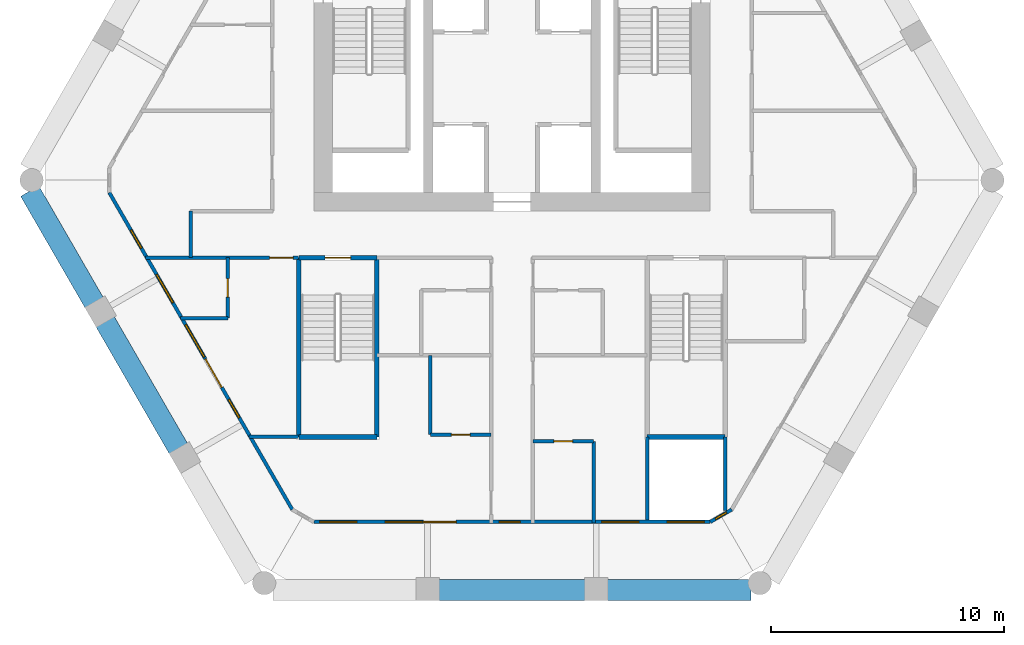
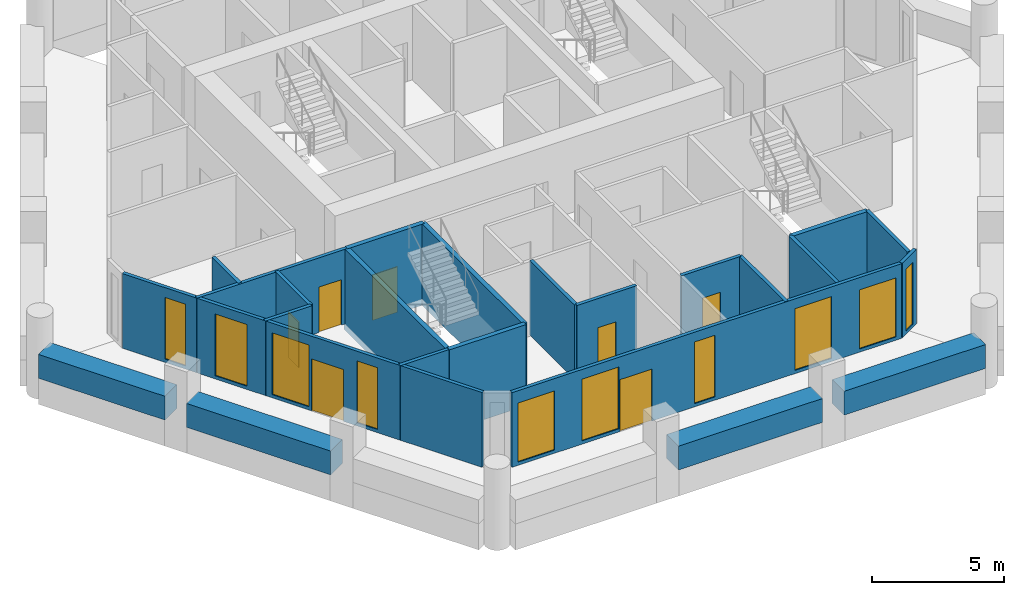
# One storey, part 2 of 7: 23 walls, 10 windows, 7 doors, 17 openings.
"""IFC4 building model written with IfcOpenShell, lengths in metres."""

from ifc_helpers import new_model, si_unit, direction, frame, frame_2d, origin, place, context, subcontext, project, spatial, rectangle, extrude, material, layer, layer_set, type_object, element, fill, save


model = new_model("IFC4")

# Units and contexts
model_context = context("Model", 3, precision=1e-05, world=origin(), true_north=direction((0.0, 1.0)))
body_context = subcontext(model_context, "Body", "Model", "MODEL_VIEW")
ifc_project = project(units=[si_unit("LENGTHUNIT", "METRE"), si_unit("AREAUNIT", "SQUARE_METRE"), si_unit("VOLUMEUNIT", "CUBIC_METRE"), si_unit("PLANEANGLEUNIT", "RADIAN"), si_unit("MASSUNIT", "GRAM", prefix="KILO")], contexts=[model_context])

# Site, building, storey
site_placement = place(None, origin())
site = spatial("IfcSite", under=ifc_project, at=site_placement, CompositionType="ELEMENT")
building_placement = place(site_placement, origin())
building = spatial("IfcBuilding", under=site, at=building_placement, Name="Ostrander Bayou Hotel Tower", CompositionType="ELEMENT")
storey_placement = place(building_placement, frame((0.0, 0.0, 168.25)))
storey = spatial("IfcBuildingStorey", under=building, at=storey_placement, Name="L41", CompositionType="ELEMENT", Elevation=168.25)

# Wall, openings, door, windows
ifc_material_1 = material(Name="Aluminium framed insulated wall", Category="aluminium")
ifc_layer_1 = layer(ifc_material_1, 0.14990234375)
ifc_layer_set_1 = layer_set([ifc_layer_1], Name="GW1 glass-line wall 150 mm")
wall_type_1 = type_object("IfcWallType", Name="GW1 glass-line wall 150 mm", PredefinedType="SOLIDWALL", material=ifc_layer_set_1)
wall_1_placement = place(storey_placement, frame((-17.28662109375, -0.908935546875, 0.0), z_axis=(0.0, 0.0, 1.0), x_axis=(0.500004460396, -0.866022828558, 0.0)))
wall_1 = element("IfcWall", 1, at=wall_1_placement, inside=storey, type_object=wall_type_1, Name="GW1 L41 SW 1", PredefinedType="SOLIDWALL", context=body_context, shape_type="SweptSolid", body=[
    extrude(rectangle(XDim=15.712158203125, YDim=0.14990234375, at=frame_2d((7.85595703125, 0.0))), origin(), (0.0, 0.0, 1.0), 3.449951171875),
])
opening_1_placement = place(wall_1_placement, frame((1.856201171875, 0.0, 0.14990234375)))
opening_1 = element("IfcOpeningElement", 2, at=opening_1_placement, cuts=wall_1, Name="Opening W17", PredefinedType="OPENING", context=body_context, shape_type="SweptSolid", body=[
    extrude(rectangle(XDim=0.89990234375, YDim=2.85009765625, at=frame_2d((0.449951171875, 1.425048828125))), frame((0.0, 0.074951171875, 0.0), z_axis=(0.0, -1.0, 0.0), x_axis=(1.0, 0.0, 0.0)), (0.0, 0.0, 1.0), 0.14990234375),
])
opening_2_placement = place(wall_1_placement, frame((4.05615234375, 0.0, 0.14990234375)))
opening_2 = element("IfcOpeningElement", 3, at=opening_2_placement, cuts=wall_1, Name="Opening W13", PredefinedType="OPENING", context=body_context, shape_type="SweptSolid", body=[
    extrude(rectangle(XDim=1.39990234375, YDim=2.85009765625, at=frame_2d((0.699951171875, 1.425048828125))), frame((0.0, 0.074951171875, 0.0), z_axis=(0.0, -1.0, 0.0), x_axis=(1.0, 0.0, 0.0)), (0.0, 0.0, 1.0), 0.14990234375),
])
opening_3_placement = place(wall_1_placement, frame((6.549072265625, 0.0, 0.14990234375)))
opening_3 = element("IfcOpeningElement", 4, at=opening_3_placement, cuts=wall_1, Name="Opening W3", PredefinedType="OPENING", context=body_context, shape_type="SweptSolid", body=[
    extrude(rectangle(XDim=1.60009765625, YDim=2.85009765625, at=frame_2d((0.800048828125, 1.425048828125))), frame((0.0, 0.074951171875, 0.0), z_axis=(0.0, -1.0, 0.0), x_axis=(1.0, 0.0, 0.0)), (0.0, 0.0, 1.0), 0.14990234375),
])
opening_4_placement = place(wall_1_placement, frame((8.256103515625, 0.0, 0.0)))
opening_4 = element("IfcOpeningElement", 5, at=opening_4_placement, cuts=wall_1, Name="Opening T41-802", PredefinedType="OPENING", context=body_context, shape_type="SweptSolid", body=[
    extrude(rectangle(XDim=1.39990234375, YDim=2.39990234375, at=frame_2d((0.699951171875, 1.199951171875))), frame((0.0, 0.074951171875, 0.0), z_axis=(0.0, -1.0, 0.0), x_axis=(1.0, 0.0, 0.0)), (0.0, 0.0, 1.0), 0.14990234375),
])
opening_5_placement = place(wall_1_placement, frame((10.256103515625, 0.0, 0.14990234375)))
opening_5 = element("IfcOpeningElement", 6, at=opening_5_placement, cuts=wall_1, Name="Opening W17", PredefinedType="OPENING", context=body_context, shape_type="SweptSolid", body=[
    extrude(rectangle(XDim=0.89990234375, YDim=2.85009765625, at=frame_2d((0.449951171875, 1.425048828125))), frame((0.0, 0.074951171875, 0.0), z_axis=(0.0, -1.0, 0.0), x_axis=(1.0, 0.0, 0.0)), (0.0, 0.0, 1.0), 0.14990234375),
])
ifc_material_2 = material(Name="Aluminium and clear glass", Category="aluminium")
door_type_1 = type_object("IfcDoorType", Name="SD3 sliding glass door 1400 mm, zone 3", OperationType="SLIDING_TO_LEFT", PredefinedType="DOOR", material=ifc_material_2)
door_1_placement = place(opening_4_placement, origin())
door_1 = element("IfcDoor", 7, at=door_1_placement, inside=storey, type_object=door_type_1, Name="SD3 L41 SW 2", OperationType="SLIDING_TO_RIGHT", OverallHeight=2.39990234375, OverallWidth=1.39990234375, PredefinedType="DOOR", context=body_context, shape_type="SweptSolid", body=[
    extrude(rectangle(XDim=1.39990234375, YDim=2.39990234375, at=frame_2d((0.699951171875, 1.199951171875))), frame((0.0, 0.02490234375, 0.0), z_axis=(0.0, -1.0, 0.0), x_axis=(1.0, 0.0, 0.0)), (0.0, 0.0, 1.0), 0.050048828125),
])
fill(opening_4, door_1)
ifc_material_3 = material(Name="Aluminium and clear glass", Category="aluminium")
window_type_1 = type_object("IfcWindowType", Name="W13 fixed window 1400 mm, bath bay, zone 3", PartitioningType="SINGLE_PANEL", PredefinedType="WINDOW", material=ifc_material_3)
window_1_placement = place(opening_2_placement, origin())
window_1 = element("IfcWindow", 8, at=window_1_placement, inside=storey, type_object=window_type_1, Name="W13 L41 SW 1", OverallHeight=2.85009765625, OverallWidth=1.39990234375, PartitioningType="SINGLE_PANEL", PredefinedType="WINDOW", context=body_context, shape_type="SweptSolid", body=[
    extrude(rectangle(XDim=1.39990234375, YDim=2.85009765625, at=frame_2d((0.699951171875, 1.425048828125))), frame((0.0, 0.030029296875, 0.0), z_axis=(0.0, -1.0, 0.0), x_axis=(1.0, 0.0, 0.0)), (0.0, 0.0, 1.0), 0.06005859375),
])
fill(opening_2, window_1)
ifc_material_4 = material(Name="Aluminium and clear glass", Category="aluminium")
window_type_2 = type_object("IfcWindowType", Name="W17 window 900 mm, zone 3", PartitioningType="SINGLE_PANEL", PredefinedType="WINDOW", material=ifc_material_4)
window_2_placement = place(opening_1_placement, origin())
window_2 = element("IfcWindow", 9, at=window_2_placement, inside=storey, type_object=window_type_2, Name="W17 L41 SW 1", OverallHeight=2.85009765625, OverallWidth=0.89990234375, PartitioningType="SINGLE_PANEL", PredefinedType="WINDOW", context=body_context, shape_type="SweptSolid", body=[
    extrude(rectangle(XDim=0.89990234375, YDim=2.85009765625, at=frame_2d((0.449951171875, 1.425048828125))), frame((0.0, 0.030029296875, 0.0), z_axis=(0.0, -1.0, 0.0), x_axis=(1.0, 0.0, 0.0)), (0.0, 0.0, 1.0), 0.06005859375),
])
fill(opening_1, window_2)
window_3_placement = place(opening_5_placement, origin())
window_3 = element("IfcWindow", 10, at=window_3_placement, inside=storey, type_object=window_type_2, Name="W17 L41 SW 3", OverallHeight=2.85009765625, OverallWidth=0.89990234375, PartitioningType="SINGLE_PANEL", PredefinedType="WINDOW", context=body_context, shape_type="SweptSolid", body=[
    extrude(rectangle(XDim=0.89990234375, YDim=2.85009765625, at=frame_2d((0.449951171875, 1.425048828125))), frame((0.0, 0.030029296875, 0.0), z_axis=(0.0, -1.0, 0.0), x_axis=(1.0, 0.0, 0.0)), (0.0, 0.0, 1.0), 0.06005859375),
])
fill(opening_5, window_3)
ifc_material_5 = material(Name="Aluminium and clear glass", Category="aluminium")
window_type_3 = type_object("IfcWindowType", Name="W3 fixed window 1600 mm, zone 3", PartitioningType="SINGLE_PANEL", PredefinedType="WINDOW", material=ifc_material_5)
window_4_placement = place(opening_3_placement, origin())
window_4 = element("IfcWindow", 11, at=window_4_placement, inside=storey, type_object=window_type_3, Name="W3 L41 SW 2", OverallHeight=2.85009765625, OverallWidth=1.60009765625, PartitioningType="SINGLE_PANEL", PredefinedType="WINDOW", context=body_context, shape_type="SweptSolid", body=[
    extrude(rectangle(XDim=1.60009765625, YDim=2.85009765625, at=frame_2d((0.800048828125, 1.425048828125))), frame((0.0, 0.030029296875, 0.0), z_axis=(0.0, -1.0, 0.0), x_axis=(1.0, 0.0, 0.0)), (0.0, 0.0, 1.0), 0.06005859375),
])
fill(opening_3, window_4)

wall_2_placement = place(storey_placement, frame((-8.508056640625, -15.048583984375, 0.0), z_axis=(0.0, 0.0, 1.0), x_axis=(1.0, 0.0, 0.0)))
wall_2 = element("IfcWall", 12, at=wall_2_placement, inside=storey, type_object=wall_type_1, Name="GW1 L41 S 1", PredefinedType="SOLIDWALL", context=body_context, shape_type="SweptSolid", body=[
    extrude(rectangle(XDim=17.01611328125, YDim=0.14990234375, at=frame_2d((8.508056640625, 0.0))), origin(), (0.0, 0.0, 1.0), 3.449951171875),
])
opening_6_placement = place(wall_2_placement, frame((3.05810546875, 0.0, 0.14990234375)))
opening_6 = element("IfcOpeningElement", 13, at=opening_6_placement, cuts=wall_2, Name="Opening W3", PredefinedType="OPENING", context=body_context, shape_type="SweptSolid", body=[
    extrude(rectangle(XDim=1.60009765625, YDim=2.85009765625, at=frame_2d((0.800048828125, 1.425048828125))), frame((0.0, 0.074951171875, 0.0), z_axis=(0.0, -1.0, 0.0), x_axis=(1.0, 0.0, 0.0)), (0.0, 0.0, 1.0), 0.14990234375),
])
opening_7_placement = place(wall_2_placement, frame((4.7080078125, 0.0, 0.0)))
opening_7 = element("IfcOpeningElement", 14, at=opening_7_placement, cuts=wall_2, Name="Opening T41-803", PredefinedType="OPENING", context=body_context, shape_type="SweptSolid", body=[
    extrude(rectangle(XDim=1.39990234375, YDim=2.39990234375, at=frame_2d((0.699951171875, 1.199951171875))), frame((0.0, 0.074951171875, 0.0), z_axis=(0.0, -1.0, 0.0), x_axis=(1.0, 0.0, 0.0)), (0.0, 0.0, 1.0), 0.14990234375),
])
opening_8_placement = place(wall_2_placement, frame((7.9580078125, 0.0, 0.14990234375)))
opening_8 = element("IfcOpeningElement", 15, at=opening_8_placement, cuts=wall_2, Name="Opening W17", PredefinedType="OPENING", context=body_context, shape_type="SweptSolid", body=[
    extrude(rectangle(XDim=0.89990234375, YDim=2.85009765625, at=frame_2d((0.449951171875, 1.425048828125))), frame((0.0, 0.074951171875, 0.0), z_axis=(0.0, -1.0, 0.0), x_axis=(1.0, 0.0, 0.0)), (0.0, 0.0, 1.0), 0.14990234375),
])
opening_9_placement = place(wall_2_placement, frame((12.358154296875, 0.0, 0.14990234375)))
opening_9 = element("IfcOpeningElement", 16, at=opening_9_placement, cuts=wall_2, Name="Opening W3", PredefinedType="OPENING", context=body_context, shape_type="SweptSolid", body=[
    extrude(rectangle(XDim=1.60009765625, YDim=2.85009765625, at=frame_2d((0.800048828125, 1.425048828125))), frame((0.0, 0.074951171875, 0.0), z_axis=(0.0, -1.0, 0.0), x_axis=(1.0, 0.0, 0.0)), (0.0, 0.0, 1.0), 0.14990234375),
])
opening_10_placement = place(wall_2_placement, frame((0.25390625, 0.0, 0.14990234375)))
opening_10 = element("IfcOpeningElement", 17, at=opening_10_placement, cuts=wall_2, Name="Opening W3", PredefinedType="OPENING", context=body_context, shape_type="SweptSolid", body=[
    extrude(rectangle(XDim=1.60009765625, YDim=2.72998046875, at=frame_2d((0.800048828125, 1.364990234375))), frame((0.0, 0.074951171875, 0.0), z_axis=(0.0, -1.0, 0.0), x_axis=(1.0, 0.0, 0.0)), (0.0, 0.0, 1.0), 0.14990234375),
])
opening_11_placement = place(wall_2_placement, frame((15.162109375, 0.0, 0.14990234375)))
opening_11 = element("IfcOpeningElement", 18, at=opening_11_placement, cuts=wall_2, Name="Opening W3", PredefinedType="OPENING", context=body_context, shape_type="SweptSolid", body=[
    extrude(rectangle(XDim=1.60009765625, YDim=2.72998046875, at=frame_2d((0.800048828125, 1.364990234375))), frame((0.0, 0.074951171875, 0.0), z_axis=(0.0, -1.0, 0.0), x_axis=(1.0, 0.0, 0.0)), (0.0, 0.0, 1.0), 0.14990234375),
])
door_2_placement = place(opening_7_placement, origin())
door_2 = element("IfcDoor", 19, at=door_2_placement, inside=storey, type_object=door_type_1, Name="SD3 L41 S 1", OperationType="SLIDING_TO_LEFT", OverallHeight=2.39990234375, OverallWidth=1.39990234375, PredefinedType="DOOR", context=body_context, shape_type="SweptSolid", body=[
    extrude(rectangle(XDim=1.39990234375, YDim=2.39990234375, at=frame_2d((0.699951171875, 1.199951171875))), frame((0.0, 0.02490234375, 0.0), z_axis=(0.0, -1.0, 0.0), x_axis=(1.0, 0.0, 0.0)), (0.0, 0.0, 1.0), 0.050048828125),
])
fill(opening_7, door_2)
window_5_placement = place(opening_8_placement, origin())
window_5 = element("IfcWindow", 20, at=window_5_placement, inside=storey, type_object=window_type_2, Name="W17 L41 S 2", OverallHeight=2.85009765625, OverallWidth=0.89990234375, PartitioningType="SINGLE_PANEL", PredefinedType="WINDOW", context=body_context, shape_type="SweptSolid", body=[
    extrude(rectangle(XDim=0.89990234375, YDim=2.85009765625, at=frame_2d((0.449951171875, 1.425048828125))), frame((0.0, 0.030029296875, 0.0), z_axis=(0.0, -1.0, 0.0), x_axis=(1.0, 0.0, 0.0)), (0.0, 0.0, 1.0), 0.06005859375),
])
fill(opening_8, window_5)
window_6_placement = place(opening_6_placement, origin())
window_6 = element("IfcWindow", 21, at=window_6_placement, inside=storey, type_object=window_type_3, Name="W3 L41 S 1", OverallHeight=2.85009765625, OverallWidth=1.60009765625, PartitioningType="SINGLE_PANEL", PredefinedType="WINDOW", context=body_context, shape_type="SweptSolid", body=[
    extrude(rectangle(XDim=1.60009765625, YDim=2.85009765625, at=frame_2d((0.800048828125, 1.425048828125))), frame((0.0, 0.030029296875, 0.0), z_axis=(0.0, -1.0, 0.0), x_axis=(1.0, 0.0, 0.0)), (0.0, 0.0, 1.0), 0.06005859375),
])
fill(opening_6, window_6)
window_7_placement = place(opening_9_placement, origin())
window_7 = element("IfcWindow", 22, at=window_7_placement, inside=storey, type_object=window_type_3, Name="W3 L41 S 3", OverallHeight=2.85009765625, OverallWidth=1.60009765625, PartitioningType="SINGLE_PANEL", PredefinedType="WINDOW", context=body_context, shape_type="SweptSolid", body=[
    extrude(rectangle(XDim=1.60009765625, YDim=2.85009765625, at=frame_2d((0.800048828125, 1.425048828125))), frame((0.0, 0.030029296875, 0.0), z_axis=(0.0, -1.0, 0.0), x_axis=(1.0, 0.0, 0.0)), (0.0, 0.0, 1.0), 0.06005859375),
])
fill(opening_9, window_7)
window_8_placement = place(opening_10_placement, origin())
window_8 = element("IfcWindow", 23, at=window_8_placement, inside=storey, type_object=window_type_3, Name="W3 L41 S E11", OverallHeight=2.72998046875, OverallWidth=1.60009765625, PartitioningType="SINGLE_PANEL", PredefinedType="WINDOW", context=body_context, shape_type="SweptSolid", body=[
    extrude(rectangle(XDim=1.60009765625, YDim=2.72998046875, at=frame_2d((0.800048828125, 1.364990234375))), frame((0.0, 0.030029296875, 0.0), z_axis=(0.0, -1.0, 0.0), x_axis=(1.0, 0.0, 0.0)), (0.0, 0.0, 1.0), 0.06005859375),
])
fill(opening_10, window_8)
window_9_placement = place(opening_11_placement, origin())
window_9 = element("IfcWindow", 24, at=window_9_placement, inside=storey, type_object=window_type_3, Name="W3 L41 S E21", OverallHeight=2.72998046875, OverallWidth=1.60009765625, PartitioningType="SINGLE_PANEL", PredefinedType="WINDOW", context=body_context, shape_type="SweptSolid", body=[
    extrude(rectangle(XDim=1.60009765625, YDim=2.72998046875, at=frame_2d((0.800048828125, 1.364990234375))), frame((0.0, 0.030029296875, 0.0), z_axis=(0.0, -1.0, 0.0), x_axis=(1.0, 0.0, 0.0)), (0.0, 0.0, 1.0), 0.06005859375),
])
fill(opening_11, window_9)

# Wall, opening, window
wall_3_placement = place(storey_placement, frame((8.508056640625, -15.048583984375, 0.0), z_axis=(0.0, 0.0, 1.0), x_axis=(0.866048165231, 0.499960573946, 0.0)))
wall_3 = element("IfcWall", 25, at=wall_3_placement, inside=storey, type_object=wall_type_1, Name="GW1 L41 corner 4", PredefinedType="SOLIDWALL", context=body_context, shape_type="SweptSolid", body=[
    extrude(rectangle(XDim=1.06494140625, YDim=0.14990234375, at=frame_2d((0.532470703125, 0.0))), origin(), (0.0, 0.0, 1.0), 3.449951171875),
])
opening_12_placement = place(wall_3_placement, frame((0.257568359375, 0.0, 0.14990234375)))
opening_12 = element("IfcOpeningElement", 26, at=opening_12_placement, cuts=wall_3, Name="Opening W19", PredefinedType="OPENING", context=body_context, shape_type="SweptSolid", body=[
    extrude(rectangle(XDim=0.550048828125, YDim=2.85009765625, at=frame_2d((0.27490234375, 1.425048828125))), frame((0.0, 0.074951171875, 0.0), z_axis=(0.0, -1.0, 0.0), x_axis=(1.0, 0.0, 0.0)), (0.0, 0.0, 1.0), 0.14990234375),
])
ifc_material_6 = material(Name="Aluminium and clear glass", Category="aluminium")
window_type_4 = type_object("IfcWindowType", Name="W19 corner window 550 mm", PartitioningType="SINGLE_PANEL", PredefinedType="WINDOW", material=ifc_material_6)
window_10_placement = place(opening_12_placement, origin())
window_10 = element("IfcWindow", 27, at=window_10_placement, inside=storey, type_object=window_type_4, Name="W19 L41 corner 4", OverallHeight=2.85009765625, OverallWidth=0.550048828125, PartitioningType="SINGLE_PANEL", PredefinedType="WINDOW", context=body_context, shape_type="SweptSolid", body=[
    extrude(rectangle(XDim=0.550048828125, YDim=2.85009765625, at=frame_2d((0.27490234375, 1.425048828125))), frame((0.0, 0.030029296875, 0.0), z_axis=(0.0, -1.0, 0.0), x_axis=(1.0, 0.0, 0.0)), (0.0, 0.0, 1.0), 0.06005859375),
])
fill(opening_12, window_10)

# Walls
ifc_material_7 = material(Name="Concrete f'c 40 MPa", Category="concrete")
ifc_layer_2 = layer(ifc_material_7, 0.89990234375)
ifc_layer_set_2 = layer_set([ifc_layer_2], Name="PA1 stone-faced parapet 900 mm")
wall_type_2 = type_object("IfcWallType", Name="PA1 stone-faced parapet 900 mm", PredefinedType="PARAPET", material=ifc_layer_set_2)
wall_4_placement = place(storey_placement, frame((-3.148193359375, -17.9736328125, 0.0), z_axis=(0.0, 0.0, 1.0), x_axis=(1.0, 0.0, 0.0)))
element("IfcWall", 28, at=wall_4_placement, inside=storey, type_object=wall_type_2, Name="PA1 L41 S-2", PredefinedType="PARAPET", context=body_context, shape_type="SweptSolid", body=[
    extrude(rectangle(XDim=6.29638671875, YDim=0.89990234375, at=frame_2d((3.148193359375, 0.0))), origin(), (0.0, 0.0, 1.0), 1.10009765625),
])
wall_5_placement = place(storey_placement, frame((4.088134765625, -17.9736328125, 0.0), z_axis=(0.0, 0.0, 1.0), x_axis=(1.0, 0.0, 0.0)))
element("IfcWall", 29, at=wall_5_placement, inside=storey, type_object=wall_type_2, Name="PA1 L41 S-3", PredefinedType="PARAPET", context=body_context, shape_type="SweptSolid", body=[
    extrude(rectangle(XDim=6.18115234375, YDim=0.89990234375, at=frame_2d((3.090576171875, 0.0))), origin(), (0.0, 0.0, 1.0), 1.10009765625),
])
ifc_material_8 = material(Name="Limestone masonry", Category="masonry")
ifc_layer_3 = layer(ifc_material_8, 0.89990234375)
ifc_layer_set_3 = layer_set([ifc_layer_3], Name="PA2 limestone parapet 900 mm")
wall_type_3 = type_object("IfcWallType", Name="PA2 limestone parapet 900 mm", PredefinedType="PARAPET", material=ifc_layer_set_3)
wall_6_placement = place(storey_placement, frame((-20.7001953125, -0.84619140625, 0.0), z_axis=(0.0, 0.0, 1.0), x_axis=(0.500014212531, -0.86601719802, 0.0)))
element("IfcWall", 30, at=wall_6_placement, inside=storey, type_object=wall_type_3, Name="PA2 L41 SW-1", PredefinedType="PARAPET", context=body_context, shape_type="SweptSolid", body=[
    extrude(rectangle(XDim=5.529052734375, YDim=0.89990234375, at=frame_2d((2.7646484375, 0.0))), origin(), (0.0, 0.0, 1.0), 1.10009765625),
])
wall_7_placement = place(storey_placement, frame((-17.465576171875, -6.44873046875, 0.0), z_axis=(0.0, 0.0, 1.0), x_axis=(0.500013351051, -0.866017695414, 0.0)))
element("IfcWall", 31, at=wall_7_placement, inside=storey, type_object=wall_type_3, Name="PA2 L41 SW-2", PredefinedType="PARAPET", context=body_context, shape_type="SweptSolid", body=[
    extrude(rectangle(XDim=6.296142578125, YDim=0.89990234375, at=frame_2d((3.14794921875, 0.0))), origin(), (0.0, 0.0, 1.0), 1.10009765625),
])
ifc_material_9 = material(Name="Gypsum board partition", Category="finish")
ifc_layer_4 = layer(ifc_material_9, 0.14990234375)
ifc_layer_set_4 = layer_set([ifc_layer_4], Name="PT7 riser wall 150 mm, 2 hour")
wall_type_4 = type_object("IfcWallType", Name="PT7 riser wall 150 mm, 2 hour", PredefinedType="PARTITIONING", material=ifc_layer_set_4)
wall_8_placement = place(storey_placement, frame((5.800048828125, -11.39990234375, 0.0), z_axis=(0.0, 0.0, 1.0), x_axis=(0.0, -1.0, 0.0)))
element("IfcWall", 32, at=wall_8_placement, inside=storey, type_object=wall_type_4, Name="cs:L41:017", PredefinedType="PARTITIONING", context=body_context, shape_type="SweptSolid", body=[
    extrude(rectangle(XDim=3.57373046875, YDim=0.14990234375, at=frame_2d((1.786865234375, 0.0))), origin(), (0.0, 0.0, 1.0), 3.449951171875),
])
wall_9_placement = place(storey_placement, frame((9.14990234375, -11.39990234375, 0.0), z_axis=(0.0, 0.0, 1.0), x_axis=(0.0, -1.0, 0.0)))
element("IfcWall", 33, at=wall_9_placement, inside=storey, type_object=wall_type_4, Name="cs:L41:018", PredefinedType="PARTITIONING", context=body_context, shape_type="SweptSolid", body=[
    extrude(rectangle(XDim=3.159912109375, YDim=0.14990234375, at=frame_2d((1.580078125, 0.0))), origin(), (0.0, 0.0, 1.0), 3.449951171875),
])

# Wall, opening, door
ifc_material_10 = material(Name="Gypsum board partition", Category="finish")
ifc_layer_5 = layer(ifc_material_10, 0.14990234375)
ifc_layer_set_5 = layer_set([ifc_layer_5], Name="PT8 service band wall 150 mm, 1 hour")
wall_type_5 = type_object("IfcWallType", Name="PT8 service band wall 150 mm, 1 hour", PredefinedType="PARTITIONING", material=ifc_layer_set_5)
wall_10_placement = place(storey_placement, frame((0.89990234375, -11.5849609375, 0.0), z_axis=(0.0, 0.0, 1.0), x_axis=(1.0, 0.0, 0.0)))
wall_10 = element("IfcWall", 34, at=wall_10_placement, inside=storey, type_object=wall_type_5, Name="gw:L41:001", PredefinedType="PARTITIONING", context=body_context, shape_type="SweptSolid", body=[
    extrude(rectangle(XDim=2.60009765625, YDim=0.14990234375, at=frame_2d((1.300048828125, 0.0))), origin(), (0.0, 0.0, 1.0), 3.449951171875),
])
opening_13_placement = place(wall_10_placement, frame((0.89990234375, 0.0, 0.0)))
opening_13 = element("IfcOpeningElement", 35, at=opening_13_placement, cuts=wall_10, Name="Opening T41-409", PredefinedType="OPENING", context=body_context, shape_type="SweptSolid", body=[
    extrude(rectangle(XDim=0.800048828125, YDim=2.10009765625, at=frame_2d((0.39990234375, 1.050048828125))), frame((0.0, 0.074951171875, 0.0), z_axis=(0.0, -1.0, 0.0), x_axis=(1.0, 0.0, 0.0)), (0.0, 0.0, 1.0), 0.14990234375),
])
ifc_material_11 = material(Name="Timber door leaf", Category="wood")
door_type_2 = type_object("IfcDoorType", Name="D2 bathroom door 800 x 2100 mm", OperationType="SINGLE_SWING_LEFT", PredefinedType="DOOR", material=ifc_material_11)
door_3_placement = place(opening_13_placement, origin())
door_3 = element("IfcDoor", 36, at=door_3_placement, inside=storey, type_object=door_type_2, Name="dr:L41:409", OperationType="SINGLE_SWING_LEFT", OverallHeight=2.10009765625, OverallWidth=0.800048828125, PredefinedType="DOOR", context=body_context, shape_type="SweptSolid", body=[
    extrude(rectangle(XDim=0.800048828125, YDim=2.10009765625, at=frame_2d((0.39990234375, 1.050048828125))), frame((0.0, 0.02490234375, 0.0), z_axis=(0.0, -1.0, 0.0), x_axis=(1.0, 0.0, 0.0)), (0.0, 0.0, 1.0), 0.050048828125),
])
fill(opening_13, door_3)

# Wall
wall_11_placement = place(storey_placement, frame((-11.281005859375, -11.39990234375, 0.0), z_axis=(0.0, 0.0, 1.0), x_axis=(1.0, 0.0, 0.0)))
element("IfcWall", 37, at=wall_11_placement, inside=storey, type_object=wall_type_5, Name="gw:L41:002", PredefinedType="PARTITIONING", context=body_context, shape_type="SweptSolid", body=[
    extrude(rectangle(XDim=2.12109375, YDim=0.14990234375, at=frame_2d((1.060546875, 0.0))), origin(), (0.0, 0.0, 1.0), 3.449951171875),
])

# Wall, opening, door
wall_12_placement = place(storey_placement, frame((-3.5, -11.300048828125, 0.0), z_axis=(0.0, 0.0, 1.0), x_axis=(1.0, 0.0, 0.0)))
wall_12 = element("IfcWall", 38, at=wall_12_placement, inside=storey, type_object=wall_type_5, Name="gw:L41:003", PredefinedType="PARTITIONING", context=body_context, shape_type="SweptSolid", body=[
    extrude(rectangle(XDim=2.60009765625, YDim=0.14990234375, at=frame_2d((1.300048828125, 0.0))), origin(), (0.0, 0.0, 1.0), 3.449951171875),
])
opening_14_placement = place(wall_12_placement, frame((0.89990234375, 0.0, 0.0)))
opening_14 = element("IfcOpeningElement", 39, at=opening_14_placement, cuts=wall_12, Name="Opening T41-405", PredefinedType="OPENING", context=body_context, shape_type="SweptSolid", body=[
    extrude(rectangle(XDim=0.800048828125, YDim=2.10009765625, at=frame_2d((0.39990234375, 1.050048828125))), frame((0.0, 0.074951171875, 0.0), z_axis=(0.0, -1.0, 0.0), x_axis=(1.0, 0.0, 0.0)), (0.0, 0.0, 1.0), 0.14990234375),
])
door_4_placement = place(opening_14_placement, origin())
door_4 = element("IfcDoor", 40, at=door_4_placement, inside=storey, type_object=door_type_2, Name="dr:L41:405", OperationType="SINGLE_SWING_RIGHT", OverallHeight=2.10009765625, OverallWidth=0.800048828125, PredefinedType="DOOR", context=body_context, shape_type="SweptSolid", body=[
    extrude(rectangle(XDim=0.800048828125, YDim=2.10009765625, at=frame_2d((0.39990234375, 1.050048828125))), frame((0.0, 0.02490234375, 0.0), z_axis=(0.0, -1.0, 0.0), x_axis=(1.0, 0.0, 0.0)), (0.0, 0.0, 1.0), 0.050048828125),
])
fill(opening_14, door_4)

# Wall
wall_13_placement = place(storey_placement, frame((-14.22607421875, -6.300048828125, 0.0), z_axis=(0.0, 0.0, 1.0), x_axis=(1.0, 0.0, 0.0)))
element("IfcWall", 41, at=wall_13_placement, inside=storey, type_object=wall_type_5, Name="gw:L41:007", PredefinedType="PARTITIONING", context=body_context, shape_type="SweptSolid", body=[
    extrude(rectangle(XDim=2.026123046875, YDim=0.14990234375, at=frame_2d((1.01318359375, 0.0))), origin(), (0.0, 0.0, 1.0), 3.449951171875),
])

# Wall, opening, door
wall_14_placement = place(storey_placement, frame((-15.72705078125, -3.699951171875, 0.0), z_axis=(0.0, 0.0, 1.0), x_axis=(1.0, 0.0, 0.0)))
wall_14 = element("IfcWall", 42, at=wall_14_placement, inside=storey, type_object=wall_type_5, Name="gw:L41:010", PredefinedType="PARTITIONING", context=body_context, shape_type="SweptSolid", body=[
    extrude(rectangle(XDim=6.567138671875, YDim=0.14990234375, at=frame_2d((3.28369140625, 0.0))), origin(), (0.0, 0.0, 1.0), 3.449951171875),
])
opening_15_placement = place(wall_14_placement, frame((5.326904296875, 0.0, 0.0)))
opening_15 = element("IfcOpeningElement", 43, at=opening_15_placement, cuts=wall_14, Name="Opening T41-400", PredefinedType="OPENING", context=body_context, shape_type="SweptSolid", body=[
    extrude(rectangle(XDim=1.0, YDim=2.10009765625, at=frame_2d((0.5, 1.050048828125))), frame((0.0, 0.074951171875, 0.0), z_axis=(0.0, -1.0, 0.0), x_axis=(1.0, 0.0, 0.0)), (0.0, 0.0, 1.0), 0.14990234375),
])
ifc_material_12 = material(Name="Timber door leaf", Category="wood")
door_type_3 = type_object("IfcDoorType", Name="D1 guest room door 1000 x 2100 mm, 30 minute", OperationType="SINGLE_SWING_LEFT", PredefinedType="DOOR", material=ifc_material_12)
door_5_placement = place(opening_15_placement, origin())
door_5 = element("IfcDoor", 44, at=door_5_placement, inside=storey, type_object=door_type_3, Name="dr:L41:400", OperationType="SINGLE_SWING_RIGHT", OverallHeight=2.10009765625, OverallWidth=1.0, PredefinedType="DOOR", context=body_context, shape_type="SweptSolid", body=[
    extrude(rectangle(XDim=1.0, YDim=2.10009765625, at=frame_2d((0.5, 1.050048828125))), frame((0.0, 0.02490234375, 0.0), z_axis=(0.0, -1.0, 0.0), x_axis=(1.0, 0.0, 0.0)), (0.0, 0.0, 1.0), 0.050048828125),
])
fill(opening_15, door_5)

# Walls
wall_15_placement = place(storey_placement, frame((3.5, -15.093994140625, 0.0), z_axis=(0.0, 0.0, 1.0), x_axis=(0.0, 1.0, 0.0)))
element("IfcWall", 45, at=wall_15_placement, inside=storey, type_object=wall_type_5, Name="gw:L41:030", PredefinedType="PARTITIONING", context=body_context, shape_type="SweptSolid", body=[
    extrude(rectangle(XDim=3.509033203125, YDim=0.14990234375, at=frame_2d((1.75439453125, 0.0))), origin(), (0.0, 0.0, 1.0), 3.449951171875),
])
wall_16_placement = place(storey_placement, frame((-3.5, -11.300048828125, 0.0), z_axis=(0.0, 0.0, 1.0), x_axis=(0.0, 1.0, 0.0)))
element("IfcWall", 46, at=wall_16_placement, inside=storey, type_object=wall_type_5, Name="gw:L41:033", PredefinedType="PARTITIONING", context=body_context, shape_type="SweptSolid", body=[
    extrude(rectangle(XDim=3.400146484375, YDim=0.14990234375, at=frame_2d((1.7001953125, 0.0))), origin(), (0.0, 0.0, 1.0), 3.449951171875),
])

# Wall, opening, door
wall_17_placement = place(storey_placement, frame((-12.199951171875, -6.300048828125, 0.0), z_axis=(0.0, 0.0, 1.0), x_axis=(0.0, 1.0, 0.0)))
wall_17 = element("IfcWall", 47, at=wall_17_placement, inside=storey, type_object=wall_type_5, Name="gw:L41:037", PredefinedType="PARTITIONING", context=body_context, shape_type="SweptSolid", body=[
    extrude(rectangle(XDim=2.60009765625, YDim=0.14990234375, at=frame_2d((1.300048828125, 0.0))), origin(), (0.0, 0.0, 1.0), 3.449951171875),
])
opening_16_placement = place(wall_17_placement, frame((0.89990234375, 0.0, 0.0)))
opening_16 = element("IfcOpeningElement", 48, at=opening_16_placement, cuts=wall_17, Name="Opening T41-401", PredefinedType="OPENING", context=body_context, shape_type="SweptSolid", body=[
    extrude(rectangle(XDim=0.800048828125, YDim=2.10009765625, at=frame_2d((0.39990234375, 1.050048828125))), frame((0.0, 0.074951171875, 0.0), z_axis=(0.0, -1.0, 0.0), x_axis=(1.0, 0.0, 0.0)), (0.0, 0.0, 1.0), 0.14990234375),
])
door_6_placement = place(opening_16_placement, origin())
door_6 = element("IfcDoor", 49, at=door_6_placement, inside=storey, type_object=door_type_2, Name="dr:L41:401", OperationType="SINGLE_SWING_RIGHT", OverallHeight=2.10009765625, OverallWidth=0.800048828125, PredefinedType="DOOR", context=body_context, shape_type="SweptSolid", body=[
    extrude(rectangle(XDim=0.800048828125, YDim=2.10009765625, at=frame_2d((0.39990234375, 1.050048828125))), frame((0.0, 0.02490234375, 0.0), z_axis=(0.0, -1.0, 0.0), x_axis=(1.0, 0.0, 0.0)), (0.0, 0.0, 1.0), 0.050048828125),
])
fill(opening_16, door_6)

# Walls
wall_18_placement = place(storey_placement, frame((-13.800048828125, -3.699951171875, 0.0), z_axis=(0.0, 0.0, 1.0), x_axis=(0.0, 1.0, 0.0)))
element("IfcWall", 50, at=wall_18_placement, inside=storey, type_object=wall_type_5, Name="gw:L41:038", PredefinedType="PARTITIONING", context=body_context, shape_type="SweptSolid", body=[
    extrude(rectangle(XDim=2.0, YDim=0.14990234375, at=frame_2d((1.0, 0.0))), origin(), (0.0, 0.0, 1.0), 3.449951171875),
])
ifc_material_13 = material(Name="Concrete f'c 45 MPa", Category="concrete")
ifc_layer_6 = layer(ifc_material_13, 0.199951171875)
ifc_layer_set_6 = layer_set([ifc_layer_6], Name="SW5 stair enclosure wall 200 mm f'c 45 MPa")
wall_type_6 = type_object("IfcWallType", Name="SW5 stair enclosure wall 200 mm f'c 45 MPa", PredefinedType="SOLIDWALL", material=ifc_layer_set_6)
wall_19_placement = place(storey_placement, frame((5.800048828125, -11.39990234375, -0.300048828125), z_axis=(0.0, 0.0, 1.0), x_axis=(1.0, 0.0, 0.0)))
element("IfcWall", 51, at=wall_19_placement, inside=storey, type_object=wall_type_6, Name="cs:L41:016", PredefinedType="SOLIDWALL", context=body_context, shape_type="SweptSolid", body=[
    extrude(rectangle(XDim=3.349853515625, YDim=0.199951171875, at=frame_2d((1.6748046875, 0.0))), origin(), (0.0, 0.0, 1.0), 3.75),
])

# Wall, opening, door
wall_20_placement = place(storey_placement, frame((-9.14990234375, -3.699951171875, -0.300048828125), z_axis=(0.0, 0.0, 1.0), x_axis=(1.0, 0.0, 0.0)))
wall_20 = element("IfcWall", 52, at=wall_20_placement, inside=storey, type_object=wall_type_6, Name="cs:L41:019", PredefinedType="SOLIDWALL", context=body_context, shape_type="SweptSolid", body=[
    extrude(rectangle(XDim=3.349853515625, YDim=0.199951171875, at=frame_2d((1.6748046875, 0.0))), origin(), (0.0, 0.0, 1.0), 3.75),
])
opening_17_placement = place(wall_20_placement, frame((1.125, 0.0, 0.0)))
opening_17 = element("IfcOpeningElement", 53, at=opening_17_placement, cuts=wall_20, Name="Opening T41-012", PredefinedType="OPENING", context=body_context, shape_type="SweptSolid", body=[
    extrude(rectangle(XDim=1.10009765625, YDim=2.10009765625, at=frame_2d((0.550048828125, 1.050048828125))), frame((0.0, 0.10009765625, 0.0), z_axis=(0.0, -1.0, 0.0), x_axis=(1.0, 0.0, 0.0)), (0.0, 0.0, 1.0), 0.199951171875),
])
ifc_material_14 = material(Name="Timber door leaf", Category="wood")
door_type_4 = type_object("IfcDoorType", Name="D5 stair door 1100 x 2100 mm, 90 minute", OperationType="SINGLE_SWING_LEFT", PredefinedType="DOOR", material=ifc_material_14)
door_7_placement = place(opening_17_placement, origin())
door_7 = element("IfcDoor", 54, at=door_7_placement, inside=storey, type_object=door_type_4, Name="dr:L41:012", OperationType="SINGLE_SWING_LEFT", OverallHeight=2.10009765625, OverallWidth=1.10009765625, PredefinedType="DOOR", context=body_context, shape_type="SweptSolid", body=[
    extrude(rectangle(XDim=1.10009765625, YDim=2.10009765625, at=frame_2d((0.550048828125, 1.050048828125))), frame((0.0, 0.02490234375, 0.0), z_axis=(0.0, -1.0, 0.0), x_axis=(1.0, 0.0, 0.0)), (0.0, 0.0, 1.0), 0.050048828125),
])
fill(opening_17, door_7)

# Walls
for number, where, z_axis, x_axis, name in (
    (55, (-9.14990234375, -3.699951171875, -0.300048828125), (0.0, 0.0, 1.0), (0.0, -1.0, 0.0), "cs:L41:020"),
    (56, (-5.800048828125, -3.699951171875, -0.300048828125), (0.0, 0.0, 1.0), (0.0, -1.0, 0.0), "cs:L41:021"),
):
    element("IfcWall", number, at=place(storey_placement, frame(where, z_axis=z_axis, x_axis=x_axis)), inside=storey, type_object=wall_type_6, Name=name, PredefinedType="SOLIDWALL", context=body_context, shape_type="SweptSolid", body=[
        extrude(rectangle(XDim=7.699951171875, YDim=0.199951171875, at=frame_2d((3.85009765625, 0.0))), origin(), (0.0, 0.0, 1.0), 3.75),
    ])
wall_21_placement = place(storey_placement, frame((-9.14990234375, -11.39990234375, -0.300048828125), z_axis=(0.0, 0.0, 1.0), x_axis=(1.0, 0.0, 0.0)))
element("IfcWall", 57, at=wall_21_placement, inside=storey, type_object=wall_type_6, Name="cs:L41:022", PredefinedType="SOLIDWALL", context=body_context, shape_type="SweptSolid", body=[
    extrude(rectangle(XDim=3.349853515625, YDim=0.199951171875, at=frame_2d((1.6748046875, 0.0))), origin(), (0.0, 0.0, 1.0), 3.75),
])

save(model, "model.ifc")
